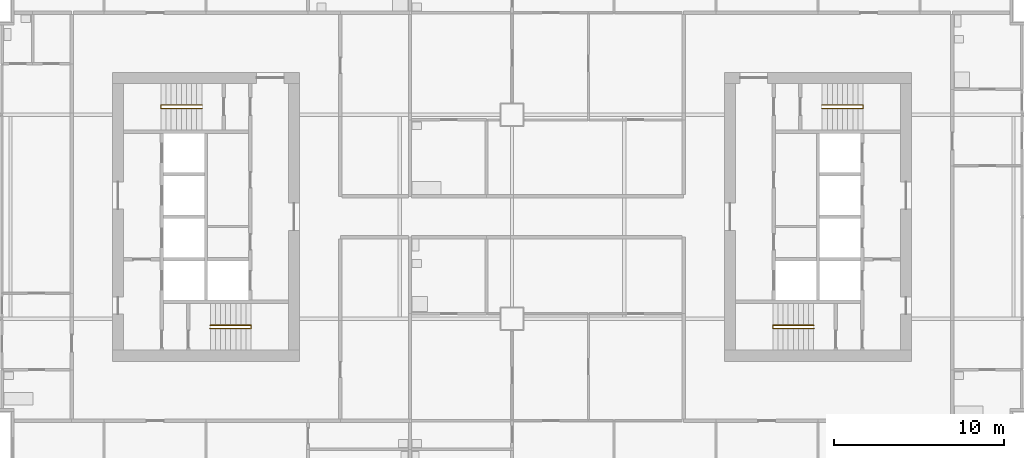
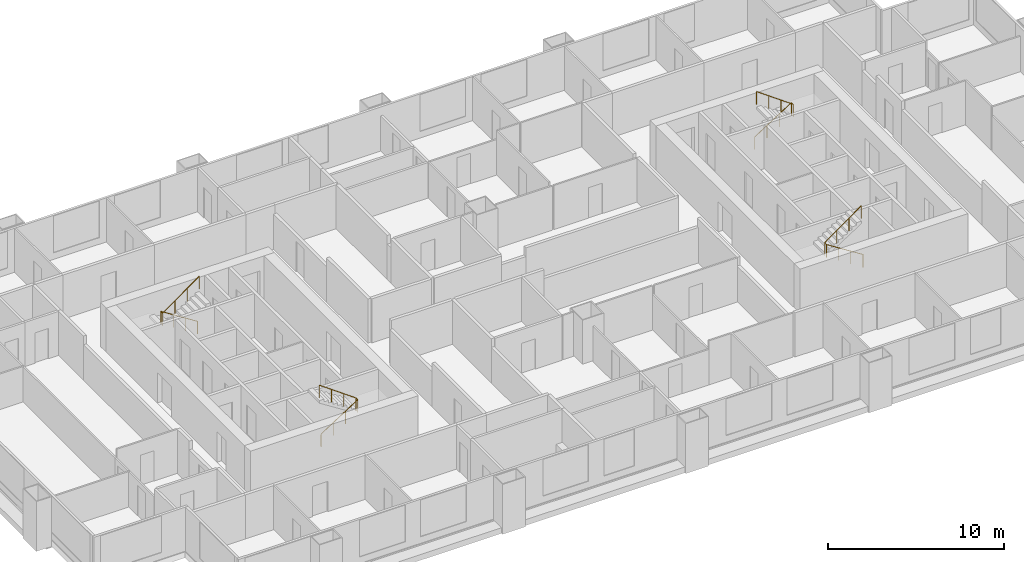
# One storey, part 10 of 11: 4 railings.
"""IFC4 building model written with IfcOpenShell, lengths in metres."""

from ifc_helpers import new_model, si_unit, direction, frame, origin, origin_2d, place, context, subcontext, project, spatial, circle, extrude, material, type_object, element, save


model = new_model("IFC4")

# Units and contexts
model_context = context("Model", 3, precision=1e-05, world=origin(), true_north=direction((0.0, 1.0)))
body_context = subcontext(model_context, "Body", "Model", "MODEL_VIEW")
ifc_project = project(units=[si_unit("LENGTHUNIT", "METRE"), si_unit("AREAUNIT", "SQUARE_METRE"), si_unit("VOLUMEUNIT", "CUBIC_METRE"), si_unit("PLANEANGLEUNIT", "RADIAN"), si_unit("MASSUNIT", "GRAM", prefix="KILO")], contexts=[model_context])

# Site, building, storey
site_placement = place(None, origin())
site = spatial("IfcSite", under=ifc_project, at=site_placement, CompositionType="ELEMENT")
building_placement = place(site_placement, origin())
building = spatial("IfcBuilding", under=site, at=building_placement, Name="Kitamizu Gate Tower and Museum", CompositionType="ELEMENT")
storey_placement = place(building_placement, frame((0.0, 0.0, 110.39990234375)))
storey = spatial("IfcBuildingStorey", under=building, at=storey_placement, Name="L28", CompositionType="ELEMENT", Elevation=110.39990234375)

# Railings
ifc_material = material(Name="Stainless steel SUS304", Category="steel")
railing_type = type_object("IfcRailingType", Name="Stair handrail 900", PredefinedType="HANDRAIL", material=ifc_material)
railing_1_placement = place(storey_placement, frame((18.25, 23.425048828125, 0.191650390625)))
element("IfcRailing", 1, at=railing_1_placement, inside=storey, type_object=railing_type, Name="Stair handrail ST1", PredefinedType="HANDRAIL", context=body_context, shape_type="SweptSolid", body=[
    extrude(circle(Radius=0.02392578125, at=origin_2d()), frame((0.0, 0.0, 0.8759765625), z_axis=(0.842668169335, 0.0, 0.538433242278), x_axis=(0.0, 1.0, 0.0)), (0.0, 0.0, 1.0), 2.847900390625),
    extrude(circle(Radius=0.02392578125, at=origin_2d()), frame((2.39990234375, 0.0, 2.4091796875), z_axis=(0.0, 1.0, 0.0), x_axis=(-1.0, 0.0, 0.0)), (0.0, 0.0, 1.0), 0.199951171875),
    extrude(circle(Radius=0.02392578125, at=origin_2d()), frame((2.39990234375, 0.199951171875, 2.4091796875), z_axis=(-0.811988456656, 0.0, 0.583673492852), x_axis=(0.0, -1.0, 0.0)), (0.0, 0.0, 1.0), 2.95556640625),
    extrude(circle(Radius=0.02099609375, at=origin_2d()), origin(), (0.0, 0.0, 1.0), 0.851806640625),
    extrude(circle(Radius=0.02099609375, at=origin_2d()), frame((0.800048828125, 0.0, 0.51123046875)), (0.0, 0.0, 1.0), 0.851806640625),
    extrude(circle(Radius=0.02099609375, at=origin_2d()), frame((1.599853515625, 0.0, 1.022216796875)), (0.0, 0.0, 1.0), 0.851806640625),
    extrude(circle(Radius=0.02099609375, at=origin_2d()), frame((2.39990234375, 0.0, 1.533447265625)), (0.0, 0.0, 1.0), 0.851806640625),
    extrude(circle(Radius=0.02099609375, at=origin_2d()), frame((2.39990234375, 0.199951171875, 1.533447265625)), (0.0, 0.0, 1.0), 0.851806640625),
    extrude(circle(Radius=0.02099609375, at=origin_2d()), frame((1.599853515625, 0.199951171875, 2.1083984375)), (0.0, 0.0, 1.0), 0.851806640625),
    extrude(circle(Radius=0.02099609375, at=origin_2d()), frame((0.800048828125, 0.199951171875, 2.68359375)), (0.0, 0.0, 1.0), 0.851806640625),
    extrude(circle(Radius=0.02099609375, at=origin_2d()), frame((0.0, 0.199951171875, 3.258544921875)), (0.0, 0.0, 1.0), 0.851806640625),
])
railing_2_placement = place(storey_placement, frame((17.75, 36.574951171875, 0.191650390625)))
element("IfcRailing", 2, at=railing_2_placement, inside=storey, type_object=railing_type, Name="Stair handrail ST2", PredefinedType="HANDRAIL", context=body_context, shape_type="SweptSolid", body=[
    extrude(circle(Radius=0.02392578125, at=origin_2d()), frame((0.0, 0.0, 0.8759765625), z_axis=(-0.842668169335, 0.0, 0.538433242278), x_axis=(0.0, -1.0, 0.0)), (0.0, 0.0, 1.0), 2.847900390625),
    extrude(circle(Radius=0.02392578125, at=origin_2d()), frame((-2.39990234375, 0.0, 2.4091796875), z_axis=(0.0, -1.0, 0.0), x_axis=(1.0, 0.0, 0.0)), (0.0, 0.0, 1.0), 0.199951171875),
    extrude(circle(Radius=0.02392578125, at=origin_2d()), frame((-2.39990234375, -0.199951171875, 2.4091796875), z_axis=(0.811988456656, 0.0, 0.583673492852), x_axis=(0.0, 1.0, 0.0)), (0.0, 0.0, 1.0), 2.95556640625),
    extrude(circle(Radius=0.02099609375, at=origin_2d()), origin(), (0.0, 0.0, 1.0), 0.851806640625),
    extrude(circle(Radius=0.02099609375, at=origin_2d()), frame((-0.800048828125, 0.0, 0.51123046875)), (0.0, 0.0, 1.0), 0.851806640625),
    extrude(circle(Radius=0.02099609375, at=origin_2d()), frame((-1.599853515625, 0.0, 1.022216796875)), (0.0, 0.0, 1.0), 0.851806640625),
    extrude(circle(Radius=0.02099609375, at=origin_2d()), frame((-2.39990234375, 0.0, 1.533447265625)), (0.0, 0.0, 1.0), 0.851806640625),
    extrude(circle(Radius=0.02099609375, at=origin_2d()), frame((-2.39990234375, -0.199951171875, 1.533447265625)), (0.0, 0.0, 1.0), 0.851806640625),
    extrude(circle(Radius=0.02099609375, at=origin_2d()), frame((-1.599853515625, -0.199951171875, 2.1083984375)), (0.0, 0.0, 1.0), 0.851806640625),
    extrude(circle(Radius=0.02099609375, at=origin_2d()), frame((-0.800048828125, -0.199951171875, 2.68359375)), (0.0, 0.0, 1.0), 0.851806640625),
    extrude(circle(Radius=0.02099609375, at=origin_2d()), frame((0.0, -0.199951171875, 3.258544921875)), (0.0, 0.0, 1.0), 0.851806640625),
])
railing_3_placement = place(storey_placement, frame((53.75, 23.425048828125, 0.191650390625)))
element("IfcRailing", 3, at=railing_3_placement, inside=storey, type_object=railing_type, Name="Stair handrail ST3", PredefinedType="HANDRAIL", context=body_context, shape_type="SweptSolid", body=[
    extrude(circle(Radius=0.02392578125, at=origin_2d()), frame((0.0, 0.0, 0.8759765625), z_axis=(-0.842668169335, 0.0, 0.538433242278), x_axis=(0.0, -1.0, 0.0)), (0.0, 0.0, 1.0), 2.847900390625),
    extrude(circle(Radius=0.02392578125, at=origin_2d()), frame((-2.39990234375, 0.0, 2.4091796875), z_axis=(0.0, 1.0, 0.0), x_axis=(-1.0, 0.0, 0.0)), (0.0, 0.0, 1.0), 0.199951171875),
    extrude(circle(Radius=0.02392578125, at=origin_2d()), frame((-2.39990234375, 0.199951171875, 2.4091796875), z_axis=(0.811988456656, 0.0, 0.583673492852), x_axis=(0.0, 1.0, 0.0)), (0.0, 0.0, 1.0), 2.95556640625),
    extrude(circle(Radius=0.02099609375, at=origin_2d()), origin(), (0.0, 0.0, 1.0), 0.851806640625),
    extrude(circle(Radius=0.02099609375, at=origin_2d()), frame((-0.800048828125, 0.0, 0.51123046875)), (0.0, 0.0, 1.0), 0.851806640625),
    extrude(circle(Radius=0.02099609375, at=origin_2d()), frame((-1.599853515625, 0.0, 1.022216796875)), (0.0, 0.0, 1.0), 0.851806640625),
    extrude(circle(Radius=0.02099609375, at=origin_2d()), frame((-2.39990234375, 0.0, 1.533447265625)), (0.0, 0.0, 1.0), 0.851806640625),
    extrude(circle(Radius=0.02099609375, at=origin_2d()), frame((-2.39990234375, 0.199951171875, 1.533447265625)), (0.0, 0.0, 1.0), 0.851806640625),
    extrude(circle(Radius=0.02099609375, at=origin_2d()), frame((-1.599853515625, 0.199951171875, 2.1083984375)), (0.0, 0.0, 1.0), 0.851806640625),
    extrude(circle(Radius=0.02099609375, at=origin_2d()), frame((-0.800048828125, 0.199951171875, 2.68359375)), (0.0, 0.0, 1.0), 0.851806640625),
    extrude(circle(Radius=0.02099609375, at=origin_2d()), frame((0.0, 0.199951171875, 3.258544921875)), (0.0, 0.0, 1.0), 0.851806640625),
])
railing_4_placement = place(storey_placement, frame((54.25, 36.574951171875, 0.191650390625)))
element("IfcRailing", 4, at=railing_4_placement, inside=storey, type_object=railing_type, Name="Stair handrail ST4", PredefinedType="HANDRAIL", context=body_context, shape_type="SweptSolid", body=[
    extrude(circle(Radius=0.02392578125, at=origin_2d()), frame((0.0, 0.0, 0.8759765625), z_axis=(0.842668169335, 0.0, 0.538433242278), x_axis=(0.0, 1.0, 0.0)), (0.0, 0.0, 1.0), 2.847900390625),
    extrude(circle(Radius=0.02392578125, at=origin_2d()), frame((2.39990234375, 0.0, 2.4091796875), z_axis=(0.0, -1.0, 0.0), x_axis=(1.0, 0.0, 0.0)), (0.0, 0.0, 1.0), 0.199951171875),
    extrude(circle(Radius=0.02392578125, at=origin_2d()), frame((2.39990234375, -0.199951171875, 2.4091796875), z_axis=(-0.811988456656, 0.0, 0.583673492852), x_axis=(0.0, -1.0, 0.0)), (0.0, 0.0, 1.0), 2.95556640625),
    extrude(circle(Radius=0.02099609375, at=origin_2d()), origin(), (0.0, 0.0, 1.0), 0.851806640625),
    extrude(circle(Radius=0.02099609375, at=origin_2d()), frame((0.800048828125, 0.0, 0.51123046875)), (0.0, 0.0, 1.0), 0.851806640625),
    extrude(circle(Radius=0.02099609375, at=origin_2d()), frame((1.599853515625, 0.0, 1.022216796875)), (0.0, 0.0, 1.0), 0.851806640625),
    extrude(circle(Radius=0.02099609375, at=origin_2d()), frame((2.39990234375, 0.0, 1.533447265625)), (0.0, 0.0, 1.0), 0.851806640625),
    extrude(circle(Radius=0.02099609375, at=origin_2d()), frame((2.39990234375, -0.199951171875, 1.533447265625)), (0.0, 0.0, 1.0), 0.851806640625),
    extrude(circle(Radius=0.02099609375, at=origin_2d()), frame((1.599853515625, -0.199951171875, 2.1083984375)), (0.0, 0.0, 1.0), 0.851806640625),
    extrude(circle(Radius=0.02099609375, at=origin_2d()), frame((0.800048828125, -0.199951171875, 2.68359375)), (0.0, 0.0, 1.0), 0.851806640625),
    extrude(circle(Radius=0.02099609375, at=origin_2d()), frame((0.0, -0.199951171875, 3.258544921875)), (0.0, 0.0, 1.0), 0.851806640625),
])

save(model, "model.ifc")
